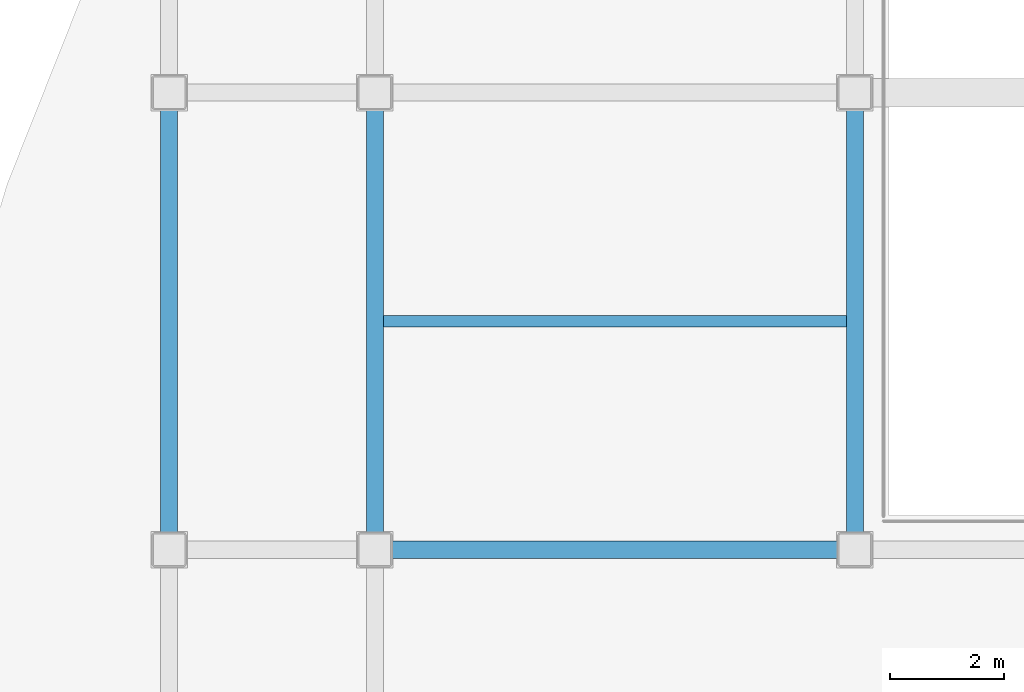
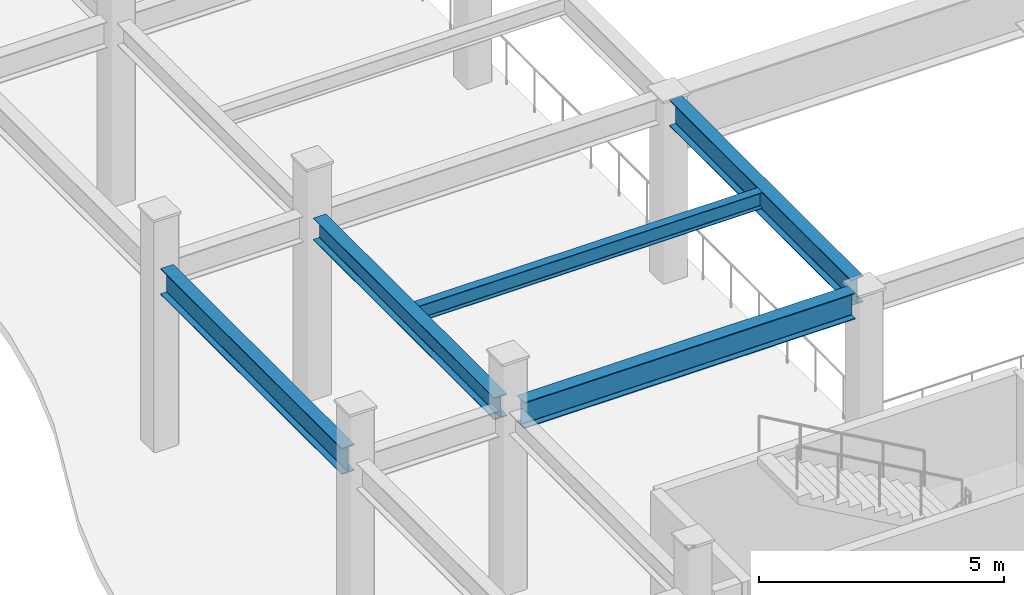
# One storey, part 9 of 172: 5 beams.
"""IFC4 building model written with IfcOpenShell, lengths in metres."""

from ifc_helpers import new_model, si_unit, direction, frame, origin, origin_2d, place, context, subcontext, project, spatial, i_section, extrude, material, material_profile, profile_set, type_object, element, save


model = new_model("IFC4")

# Units and contexts
model_context = context("Model", 3, precision=1e-05, world=origin(), true_north=direction((0.0, 1.0)))
body_context = subcontext(model_context, "Body", "Model", "MODEL_VIEW")
ifc_project = project(units=[si_unit("LENGTHUNIT", "METRE"), si_unit("AREAUNIT", "SQUARE_METRE"), si_unit("VOLUMEUNIT", "CUBIC_METRE"), si_unit("PLANEANGLEUNIT", "RADIAN"), si_unit("MASSUNIT", "GRAM", prefix="KILO")], contexts=[model_context])

# Site, building, storey
site_placement = place(None, origin())
site = spatial("IfcSite", under=ifc_project, at=site_placement, CompositionType="ELEMENT")
building_placement = place(site_placement, origin())
building = spatial("IfcBuilding", under=site, at=building_placement, Name="Kazehara Bluff Congress Hotel", CompositionType="ELEMENT")
storey_placement = place(building_placement, frame((0.0, 0.0, 5.39990234375)))
storey = spatial("IfcBuildingStorey", under=building, at=storey_placement, Name="L01", CompositionType="ELEMENT", Elevation=5.39990234375)

# Beams
ifc_material_1 = material(Name="Steel SN490B", Category="steel")
ifc_material_profile_1 = material_profile(ifc_material_1, i_section(OverallWidth=0.300048828125, OverallDepth=0.64990234375, WebThickness=0.011962890625, FlangeThickness=0.02001953125, FilletRadius=0.012939453125, at=origin_2d()))
ifc_profile_set_1 = profile_set([ifc_material_profile_1], Name="Steel SN490B")
beam_type_1 = type_object("IfcBeamType", Name="TP-G-03", PredefinedType="BEAM", material=ifc_profile_set_1)
for number, where, z_axis, x_axis, name in (
    (1, (4.800048828125, 8.300048828125, 4.22509765625), (0.0, 1.0, 0.0), (-1.0, 0.0, 0.0), "L01 girder G-03 42"),
    (2, (16.800048828125, 8.300048828125, 4.22509765625), (0.0, 1.0, 0.0), (-1.0, 0.0, 0.0), "L01 girder G-03 49"),
):
    element("IfcBeam", number, at=place(storey_placement, frame(where, z_axis=z_axis, x_axis=x_axis)), inside=storey, type_object=beam_type_1, Name=name, PredefinedType="BEAM", context=body_context, shape_type="SweptSolid", body=[
        extrude(i_section(OverallWidth=0.300048828125, OverallDepth=0.64990234375, WebThickness=0.011962890625, FlangeThickness=0.02001953125, FilletRadius=0.012939453125, at=origin_2d()), origin(), (0.0, 0.0, 1.0), 7.39990234375),
    ])
beam_1_placement = place(storey_placement, frame((8.699951171875, 8.0, 4.22509765625), z_axis=(1.0, 0.0, 0.0), x_axis=(0.0, 1.0, 0.0)))
element("IfcBeam", 3, at=beam_1_placement, inside=storey, type_object=beam_type_1, Name="L01 girder G-03 74", PredefinedType="BEAM", context=body_context, shape_type="SweptSolid", body=[
    extrude(i_section(OverallWidth=0.300048828125, OverallDepth=0.64990234375, WebThickness=0.011962890625, FlangeThickness=0.02001953125, FilletRadius=0.012939453125, at=origin_2d()), origin(), (0.0, 0.0, 1.0), 7.800048828125),
])
ifc_material_2 = material(Name="Steel SN400B", Category="steel")
ifc_material_profile_2 = material_profile(ifc_material_2, i_section(OverallWidth=0.199951171875, OverallDepth=0.39990234375, WebThickness=0.008056640625, FlangeThickness=0.012939453125, FilletRadius=0.012939453125, at=origin_2d()))
ifc_profile_set_2 = profile_set([ifc_material_profile_2], Name="Steel SN400B")
beam_type_2 = type_object("IfcBeamType", Name="TP-J-03", PredefinedType="JOIST", material=ifc_profile_set_2)
beam_2_placement = place(storey_placement, frame((8.550048828125, 12.0, 4.35009765625), z_axis=(1.0, 0.0, 0.0), x_axis=(0.0, 1.0, 0.0)))
element("IfcBeam", 4, at=beam_2_placement, inside=storey, type_object=beam_type_2, Name="L01 secondary joist J-03 1", PredefinedType="JOIST", context=body_context, shape_type="SweptSolid", body=[
    extrude(i_section(OverallWidth=0.199951171875, OverallDepth=0.39990234375, WebThickness=0.008056640625, FlangeThickness=0.012939453125, FilletRadius=0.012939453125, at=origin_2d()), origin(), (0.0, 0.0, 1.0), 8.099853515625),
])
ifc_material_3 = material(Name="Steel SN490B", Category="steel")
ifc_material_profile_3 = material_profile(ifc_material_3, i_section(OverallWidth=0.300048828125, OverallDepth=0.550048828125, WebThickness=0.010986328125, FlangeThickness=0.01806640625, FilletRadius=0.012939453125, at=origin_2d()))
ifc_profile_set_3 = profile_set([ifc_material_profile_3], Name="Steel SN490B")
beam_type_3 = type_object("IfcBeamType", Name="TP-SP-01", PredefinedType="SPANDREL", material=ifc_profile_set_3)
beam_3_placement = place(storey_placement, frame((8.39990234375, 8.300048828125, 4.275146484375), z_axis=(0.0, 1.0, 0.0), x_axis=(-1.0, 0.0, 0.0)))
element("IfcBeam", 5, at=beam_3_placement, inside=storey, type_object=beam_type_3, Name="L01 girder SP-01 46", PredefinedType="SPANDREL", context=body_context, shape_type="SweptSolid", body=[
    extrude(i_section(OverallWidth=0.300048828125, OverallDepth=0.550048828125, WebThickness=0.010986328125, FlangeThickness=0.01806640625, FilletRadius=0.012939453125, at=origin_2d()), origin(), (0.0, 0.0, 1.0), 7.39990234375),
])

save(model, "model.ifc")
